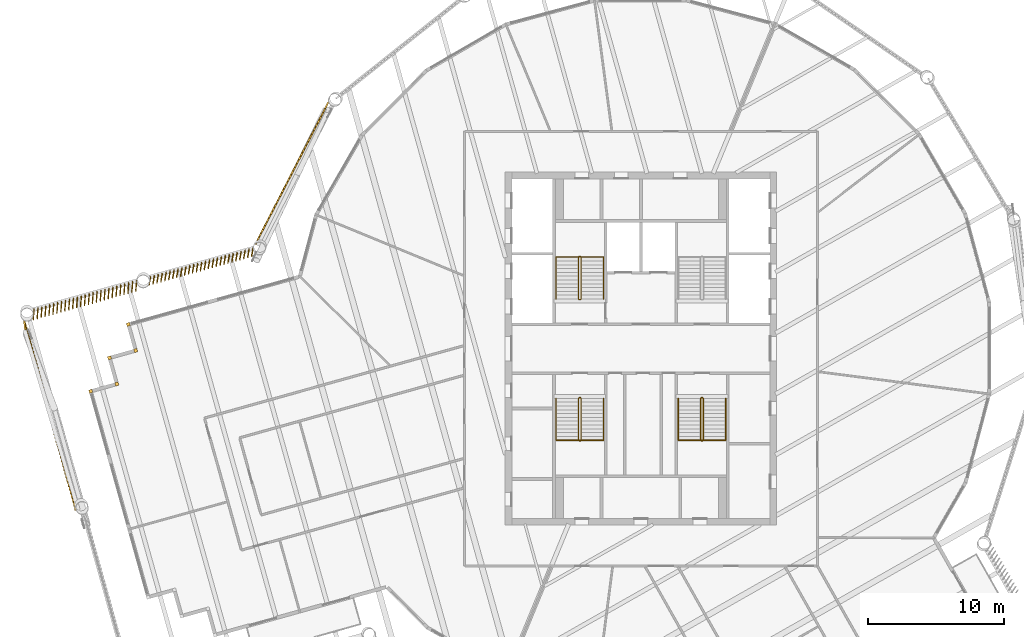
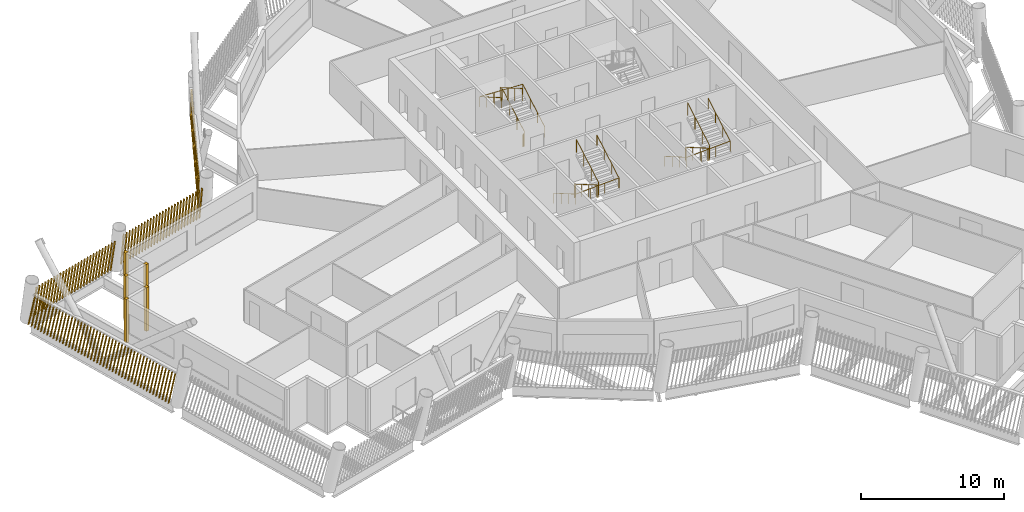
# One storey, part 18 of 21: 9 shading devices, 6 railings.
"""IFC4 building model written with IfcOpenShell, lengths in metres."""

from ifc_helpers import new_model, si_unit, direction, frame, frame_2d, origin, origin_2d, place, context, subcontext, project, spatial, rectangle, circle, composite_profile, extrude, material, type_object, element, save


model = new_model("IFC4")

# Units and contexts
model_context = context("Model", 3, precision=1e-05, world=origin(), true_north=direction((0.0, 1.0)))
body_context = subcontext(model_context, "Body", "Model", "MODEL_VIEW")
ifc_project = project(units=[si_unit("LENGTHUNIT", "METRE"), si_unit("AREAUNIT", "SQUARE_METRE"), si_unit("VOLUMEUNIT", "CUBIC_METRE"), si_unit("PLANEANGLEUNIT", "RADIAN"), si_unit("MASSUNIT", "GRAM", prefix="KILO")], contexts=[model_context])

# Site, building, storey
site_placement = place(None, origin())
site = spatial("IfcSite", under=ifc_project, at=site_placement, CompositionType="ELEMENT")
building_placement = place(site_placement, origin())
building = spatial("IfcBuilding", under=site, at=building_placement, Name="Tarsis Ring Headquarters", CompositionType="ELEMENT")
storey_placement = place(building_placement, frame((0.0, 0.0, 347.0)))
storey = spatial("IfcBuildingStorey", under=building, at=storey_placement, Name="L82", CompositionType="ELEMENT", Elevation=347.0)

# Railings
ifc_material_1 = material(Name="Steel S355", Category="steel")
railing_type_1 = type_object("IfcRailingType", Name="Core stair guard 1100", PredefinedType="GUARDRAIL", material=ifc_material_1)
railing_1_placement = place(storey_placement, frame((-4.5400390625, 3.610107421875, 0.0)))
element("IfcRailing", 1, at=railing_1_placement, inside=storey, type_object=railing_type_1, Name="L82 ST1 stair guard 1", PredefinedType="GUARDRAIL", context=body_context, shape_type="SweptSolid", body=[
    extrude(circle(Radius=0.02392578125, at=origin_2d()), frame((0.0, 0.0, 1.076171875), z_axis=(1.0, 0.0, 0.0), x_axis=(0.0, 1.0, 0.0)), (0.0, 0.0, 1.0), 0.080078125),
    extrude(circle(Radius=0.02392578125, at=origin_2d()), frame((0.080078125, 0.0, 1.076171875), z_axis=(0.282336740067, 0.280959487676, 0.917250092119), x_axis=(-0.705375805398, 0.708833529934, 0.0)), (0.0, 0.0, 1.0), 0.17724609375),
    extrude(circle(Radius=0.02392578125, at=origin_2d()), frame((0.130126953125, 0.0498046875, 1.23876953125), z_axis=(0.0, 0.864920483161, 0.501908913857), x_axis=(-1.0, 0.0, 0.0)), (0.0, 0.0, 1.0), 3.56103515625),
    extrude(circle(Radius=0.02392578125, at=origin_2d()), frame((0.130126953125, 3.1298828125, 3.02587890625), z_axis=(-0.707106781187, 0.707106781187, 0.0), x_axis=(-0.707106781187, -0.707106781187, 0.0)), (0.0, 0.0, 1.0), 0.07080078125),
    extrude(circle(Radius=0.02392578125, at=origin_2d()), frame((0.080078125, 3.179931640625, 3.02587890625), z_axis=(-1.0, 0.0, 0.0), x_axis=(0.0, -1.0, 0.0)), (0.0, 0.0, 1.0), 0.080078125),
    extrude(circle(Radius=0.02392578125, at=origin_2d()), frame((0.0, 3.179931640625, 3.02587890625), z_axis=(-0.282227285176, -0.282227285176, 0.916894497205), x_axis=(0.707106781187, -0.707106781187, 0.0)), (0.0, 0.0, 1.0), 0.17724609375),
    extrude(circle(Radius=0.02392578125, at=origin_2d()), frame((-0.050048828125, 3.1298828125, 3.1884765625), z_axis=(0.0, -0.864920483161, 0.501908913857), x_axis=(1.0, 0.0, 0.0)), (0.0, 0.0, 1.0), 3.56103515625),
    extrude(circle(Radius=0.02099609375, at=origin_2d()), origin(), (0.0, 0.0, 1.0), 1.052001953125),
    extrude(circle(Radius=0.02099609375, at=origin_2d()), frame((0.080078125, 0.0, 0.0)), (0.0, 0.0, 1.0), 1.052001953125),
    extrude(circle(Radius=0.02099609375, at=origin_2d()), frame((0.130126953125, 0.0498046875, 0.16259765625)), (0.0, 0.0, 1.0), 1.052001953125),
    extrude(circle(Radius=0.02099609375, at=origin_2d()), frame((0.130126953125, 1.076416015625, 0.75830078125)), (0.0, 0.0, 1.0), 1.052001953125),
    extrude(circle(Radius=0.02099609375, at=origin_2d()), frame((0.130126953125, 2.103271484375, 1.354248046875)), (0.0, 0.0, 1.0), 1.052001953125),
    extrude(circle(Radius=0.02099609375, at=origin_2d()), frame((0.130126953125, 3.1298828125, 1.949951171875)), (0.0, 0.0, 1.0), 1.052001953125),
    extrude(circle(Radius=0.02099609375, at=origin_2d()), frame((0.080078125, 3.179931640625, 1.949951171875)), (0.0, 0.0, 1.0), 1.052001953125),
    extrude(circle(Radius=0.02099609375, at=origin_2d()), frame((0.0, 3.179931640625, 1.949951171875)), (0.0, 0.0, 1.0), 1.052001953125),
    extrude(circle(Radius=0.02099609375, at=origin_2d()), frame((-0.050048828125, 3.1298828125, 2.112548828125)), (0.0, 0.0, 1.0), 1.052001953125),
    extrude(circle(Radius=0.02099609375, at=origin_2d()), frame((-0.050048828125, 2.103271484375, 2.708251953125)), (0.0, 0.0, 1.0), 1.052001953125),
    extrude(circle(Radius=0.02099609375, at=origin_2d()), frame((-0.050048828125, 1.076416015625, 3.30419921875)), (0.0, 0.0, 1.0), 1.052001953125),
    extrude(circle(Radius=0.02099609375, at=origin_2d()), frame((-0.050048828125, 0.0498046875, 3.89990234375)), (0.0, 0.0, 1.0), 1.052001953125),
])
railing_2_placement = place(storey_placement, frame((-4.4599609375, -3.610107421875, 0.0)))
element("IfcRailing", 2, at=railing_2_placement, inside=storey, type_object=railing_type_1, Name="L82 ST3 stair guard 1", PredefinedType="GUARDRAIL", context=body_context, shape_type="SweptSolid", body=[
    extrude(circle(Radius=0.02392578125, at=origin_2d()), frame((0.0, 0.0, 1.076171875), z_axis=(-1.0, 0.0, 0.0), x_axis=(0.0, -1.0, 0.0)), (0.0, 0.0, 1.0), 0.080078125),
    extrude(circle(Radius=0.02392578125, at=origin_2d()), frame((-0.080078125, 0.0, 1.076171875), z_axis=(-0.282336740067, -0.280959487676, 0.917250092119), x_axis=(0.705375805398, -0.708833529934, 0.0)), (0.0, 0.0, 1.0), 0.17724609375),
    extrude(circle(Radius=0.02392578125, at=origin_2d()), frame((-0.130126953125, -0.0498046875, 1.23876953125), z_axis=(0.0, -0.864920483161, 0.501908913857), x_axis=(1.0, 0.0, 0.0)), (0.0, 0.0, 1.0), 3.56103515625),
    extrude(circle(Radius=0.02392578125, at=origin_2d()), frame((-0.130126953125, -3.1298828125, 3.02587890625), z_axis=(0.707106781187, -0.707106781187, 0.0), x_axis=(0.707106781187, 0.707106781187, 0.0)), (0.0, 0.0, 1.0), 0.07080078125),
    extrude(circle(Radius=0.02392578125, at=origin_2d()), frame((-0.080078125, -3.179931640625, 3.02587890625), z_axis=(1.0, 0.0, 0.0), x_axis=(0.0, 1.0, 0.0)), (0.0, 0.0, 1.0), 0.080078125),
    extrude(circle(Radius=0.02392578125, at=origin_2d()), frame((0.0, -3.179931640625, 3.02587890625), z_axis=(0.282227285176, 0.282227285176, 0.916894497205), x_axis=(-0.707106781187, 0.707106781187, 0.0)), (0.0, 0.0, 1.0), 0.17724609375),
    extrude(circle(Radius=0.02392578125, at=origin_2d()), frame((0.050048828125, -3.1298828125, 3.1884765625), z_axis=(0.0, 0.864920483161, 0.501908913857), x_axis=(-1.0, 0.0, 0.0)), (0.0, 0.0, 1.0), 3.56103515625),
    extrude(circle(Radius=0.02099609375, at=origin_2d()), origin(), (0.0, 0.0, 1.0), 1.052001953125),
    extrude(circle(Radius=0.02099609375, at=origin_2d()), frame((-0.080078125, 0.0, 0.0)), (0.0, 0.0, 1.0), 1.052001953125),
    extrude(circle(Radius=0.02099609375, at=origin_2d()), frame((-0.130126953125, -0.0498046875, 0.16259765625)), (0.0, 0.0, 1.0), 1.052001953125),
    extrude(circle(Radius=0.02099609375, at=origin_2d()), frame((-0.130126953125, -1.076416015625, 0.75830078125)), (0.0, 0.0, 1.0), 1.052001953125),
    extrude(circle(Radius=0.02099609375, at=origin_2d()), frame((-0.130126953125, -2.103271484375, 1.354248046875)), (0.0, 0.0, 1.0), 1.052001953125),
    extrude(circle(Radius=0.02099609375, at=origin_2d()), frame((-0.130126953125, -3.1298828125, 1.949951171875)), (0.0, 0.0, 1.0), 1.052001953125),
    extrude(circle(Radius=0.02099609375, at=origin_2d()), frame((-0.080078125, -3.179931640625, 1.949951171875)), (0.0, 0.0, 1.0), 1.052001953125),
    extrude(circle(Radius=0.02099609375, at=origin_2d()), frame((0.0, -3.179931640625, 1.949951171875)), (0.0, 0.0, 1.0), 1.052001953125),
    extrude(circle(Radius=0.02099609375, at=origin_2d()), frame((0.050048828125, -3.1298828125, 2.112548828125)), (0.0, 0.0, 1.0), 1.052001953125),
    extrude(circle(Radius=0.02099609375, at=origin_2d()), frame((0.050048828125, -2.103271484375, 2.708251953125)), (0.0, 0.0, 1.0), 1.052001953125),
    extrude(circle(Radius=0.02099609375, at=origin_2d()), frame((0.050048828125, -1.076416015625, 3.30419921875)), (0.0, 0.0, 1.0), 1.052001953125),
    extrude(circle(Radius=0.02099609375, at=origin_2d()), frame((0.050048828125, -0.0498046875, 3.89990234375)), (0.0, 0.0, 1.0), 1.052001953125),
])
railing_3_placement = place(storey_placement, frame((4.5400390625, -3.610107421875, 0.0)))
element("IfcRailing", 3, at=railing_3_placement, inside=storey, type_object=railing_type_1, Name="L82 ST4 stair guard 1", PredefinedType="GUARDRAIL", context=body_context, shape_type="SweptSolid", body=[
    extrude(circle(Radius=0.02392578125, at=origin_2d()), frame((0.0, 0.0, 1.076171875), z_axis=(-1.0, 0.0, 0.0), x_axis=(0.0, -1.0, 0.0)), (0.0, 0.0, 1.0), 0.080078125),
    extrude(circle(Radius=0.02392578125, at=origin_2d()), frame((-0.080078125, 0.0, 1.076171875), z_axis=(-0.282336740067, -0.280959487676, 0.917250092119), x_axis=(0.705375805398, -0.708833529934, 0.0)), (0.0, 0.0, 1.0), 0.17724609375),
    extrude(circle(Radius=0.02392578125, at=origin_2d()), frame((-0.130126953125, -0.0498046875, 1.23876953125), z_axis=(0.0, -0.864920483161, 0.501908913857), x_axis=(1.0, 0.0, 0.0)), (0.0, 0.0, 1.0), 3.56103515625),
    extrude(circle(Radius=0.02392578125, at=origin_2d()), frame((-0.130126953125, -3.1298828125, 3.02587890625), z_axis=(0.707106781187, -0.707106781187, 0.0), x_axis=(0.707106781187, 0.707106781187, 0.0)), (0.0, 0.0, 1.0), 0.07080078125),
    extrude(circle(Radius=0.02392578125, at=origin_2d()), frame((-0.080078125, -3.179931640625, 3.02587890625), z_axis=(1.0, 0.0, 0.0), x_axis=(0.0, 1.0, 0.0)), (0.0, 0.0, 1.0), 0.080078125),
    extrude(circle(Radius=0.02392578125, at=origin_2d()), frame((0.0, -3.179931640625, 3.02587890625), z_axis=(0.282227285176, 0.282227285176, 0.916894497205), x_axis=(-0.707106781187, 0.707106781187, 0.0)), (0.0, 0.0, 1.0), 0.17724609375),
    extrude(circle(Radius=0.02392578125, at=origin_2d()), frame((0.050048828125, -3.1298828125, 3.1884765625), z_axis=(0.0, 0.864920483161, 0.501908913857), x_axis=(-1.0, 0.0, 0.0)), (0.0, 0.0, 1.0), 3.56103515625),
    extrude(circle(Radius=0.02099609375, at=origin_2d()), origin(), (0.0, 0.0, 1.0), 1.052001953125),
    extrude(circle(Radius=0.02099609375, at=origin_2d()), frame((-0.080078125, 0.0, 0.0)), (0.0, 0.0, 1.0), 1.052001953125),
    extrude(circle(Radius=0.02099609375, at=origin_2d()), frame((-0.130126953125, -0.0498046875, 0.16259765625)), (0.0, 0.0, 1.0), 1.052001953125),
    extrude(circle(Radius=0.02099609375, at=origin_2d()), frame((-0.130126953125, -1.076416015625, 0.75830078125)), (0.0, 0.0, 1.0), 1.052001953125),
    extrude(circle(Radius=0.02099609375, at=origin_2d()), frame((-0.130126953125, -2.103271484375, 1.354248046875)), (0.0, 0.0, 1.0), 1.052001953125),
    extrude(circle(Radius=0.02099609375, at=origin_2d()), frame((-0.130126953125, -3.1298828125, 1.949951171875)), (0.0, 0.0, 1.0), 1.052001953125),
    extrude(circle(Radius=0.02099609375, at=origin_2d()), frame((-0.080078125, -3.179931640625, 1.949951171875)), (0.0, 0.0, 1.0), 1.052001953125),
    extrude(circle(Radius=0.02099609375, at=origin_2d()), frame((0.0, -3.179931640625, 1.949951171875)), (0.0, 0.0, 1.0), 1.052001953125),
    extrude(circle(Radius=0.02099609375, at=origin_2d()), frame((0.050048828125, -3.1298828125, 2.112548828125)), (0.0, 0.0, 1.0), 1.052001953125),
    extrude(circle(Radius=0.02099609375, at=origin_2d()), frame((0.050048828125, -2.103271484375, 2.708251953125)), (0.0, 0.0, 1.0), 1.052001953125),
    extrude(circle(Radius=0.02099609375, at=origin_2d()), frame((0.050048828125, -1.076416015625, 3.30419921875)), (0.0, 0.0, 1.0), 1.052001953125),
    extrude(circle(Radius=0.02099609375, at=origin_2d()), frame((0.050048828125, -0.0498046875, 3.89990234375)), (0.0, 0.0, 1.0), 1.052001953125),
])
railing_type_2 = type_object("IfcRailingType", Name="Core stair handrail 900", PredefinedType="HANDRAIL", material=ifc_material_1)
railing_4_placement = place(storey_placement, frame((-2.75, 3.659912109375, 0.16259765625)))
element("IfcRailing", 4, at=railing_4_placement, inside=storey, type_object=railing_type_2, Name="L82 ST1 stair handrail 1", PredefinedType="HANDRAIL", context=body_context, shape_type="SweptSolid", body=[
    extrude(circle(Radius=0.02392578125, at=origin_2d()), frame((0.0, 0.0, 0.8759765625), z_axis=(0.0, 0.864920483161, 0.501908913857), x_axis=(-1.0, 0.0, 0.0)), (0.0, 0.0, 1.0), 3.56103515625),
    extrude(circle(Radius=0.02392578125, at=origin_2d()), frame((0.0, 3.080078125, 2.6630859375), z_axis=(-0.998922641604, 0.0, 0.046406422943), x_axis=(0.0, -1.0, 0.0)), (0.0, 0.0, 1.0), 3.503662109375),
    extrude(circle(Radius=0.02392578125, at=origin_2d()), frame((-3.5, 3.080078125, 2.82568359375), z_axis=(0.0, -0.864920483161, 0.501908913857), x_axis=(1.0, 0.0, 0.0)), (0.0, 0.0, 1.0), 3.56103515625),
    extrude(circle(Radius=0.02099609375, at=origin_2d()), origin(), (0.0, 0.0, 1.0), 0.851806640625),
    extrude(circle(Radius=0.02099609375, at=origin_2d()), frame((0.0, 1.026611328125, 0.595703125)), (0.0, 0.0, 1.0), 0.851806640625),
    extrude(circle(Radius=0.02099609375, at=origin_2d()), frame((0.0, 2.053466796875, 1.191650390625)), (0.0, 0.0, 1.0), 0.851806640625),
    extrude(circle(Radius=0.02099609375, at=origin_2d()), frame((0.0, 3.080078125, 1.787353515625)), (0.0, 0.0, 1.0), 0.851806640625),
    extrude(circle(Radius=0.02099609375, at=origin_2d()), frame((-1.166748046875, 3.080078125, 1.841552734375)), (0.0, 0.0, 1.0), 0.851806640625),
    extrude(circle(Radius=0.02099609375, at=origin_2d()), frame((-2.333251953125, 3.080078125, 1.895751953125)), (0.0, 0.0, 1.0), 0.851806640625),
    extrude(circle(Radius=0.02099609375, at=origin_2d()), frame((-3.5, 3.080078125, 1.949951171875)), (0.0, 0.0, 1.0), 0.851806640625),
    extrude(circle(Radius=0.02099609375, at=origin_2d()), frame((-3.5, 2.053466796875, 2.545654296875)), (0.0, 0.0, 1.0), 0.851806640625),
    extrude(circle(Radius=0.02099609375, at=origin_2d()), frame((-3.5, 1.026611328125, 3.1416015625)), (0.0, 0.0, 1.0), 0.851806640625),
    extrude(circle(Radius=0.02099609375, at=origin_2d()), frame((-3.5, 0.0, 3.7373046875)), (0.0, 0.0, 1.0), 0.851806640625),
])
railing_5_placement = place(storey_placement, frame((-6.25, -3.659912109375, 0.16259765625)))
element("IfcRailing", 5, at=railing_5_placement, inside=storey, type_object=railing_type_2, Name="L82 ST3 stair handrail 1", PredefinedType="HANDRAIL", context=body_context, shape_type="SweptSolid", body=[
    extrude(circle(Radius=0.02392578125, at=origin_2d()), frame((0.0, 0.0, 0.8759765625), z_axis=(0.0, -0.864920483161, 0.501908913857), x_axis=(1.0, 0.0, 0.0)), (0.0, 0.0, 1.0), 3.56103515625),
    extrude(circle(Radius=0.02392578125, at=origin_2d()), frame((0.0, -3.080078125, 2.6630859375), z_axis=(0.998922641604, 0.0, 0.046406422943), x_axis=(0.0, 1.0, 0.0)), (0.0, 0.0, 1.0), 3.503662109375),
    extrude(circle(Radius=0.02392578125, at=origin_2d()), frame((3.5, -3.080078125, 2.82568359375), z_axis=(0.0, 0.864920483161, 0.501908913857), x_axis=(-1.0, 0.0, 0.0)), (0.0, 0.0, 1.0), 3.56103515625),
    extrude(circle(Radius=0.02099609375, at=origin_2d()), origin(), (0.0, 0.0, 1.0), 0.851806640625),
    extrude(circle(Radius=0.02099609375, at=origin_2d()), frame((0.0, -1.026611328125, 0.595703125)), (0.0, 0.0, 1.0), 0.851806640625),
    extrude(circle(Radius=0.02099609375, at=origin_2d()), frame((0.0, -2.053466796875, 1.191650390625)), (0.0, 0.0, 1.0), 0.851806640625),
    extrude(circle(Radius=0.02099609375, at=origin_2d()), frame((0.0, -3.080078125, 1.787353515625)), (0.0, 0.0, 1.0), 0.851806640625),
    extrude(circle(Radius=0.02099609375, at=origin_2d()), frame((1.166748046875, -3.080078125, 1.841552734375)), (0.0, 0.0, 1.0), 0.851806640625),
    extrude(circle(Radius=0.02099609375, at=origin_2d()), frame((2.333251953125, -3.080078125, 1.895751953125)), (0.0, 0.0, 1.0), 0.851806640625),
    extrude(circle(Radius=0.02099609375, at=origin_2d()), frame((3.5, -3.080078125, 1.949951171875)), (0.0, 0.0, 1.0), 0.851806640625),
    extrude(circle(Radius=0.02099609375, at=origin_2d()), frame((3.5, -2.053466796875, 2.545654296875)), (0.0, 0.0, 1.0), 0.851806640625),
    extrude(circle(Radius=0.02099609375, at=origin_2d()), frame((3.5, -1.026611328125, 3.1416015625)), (0.0, 0.0, 1.0), 0.851806640625),
    extrude(circle(Radius=0.02099609375, at=origin_2d()), frame((3.5, 0.0, 3.7373046875)), (0.0, 0.0, 1.0), 0.851806640625),
])
railing_6_placement = place(storey_placement, frame((2.75, -3.659912109375, 0.16259765625)))
element("IfcRailing", 6, at=railing_6_placement, inside=storey, type_object=railing_type_2, Name="L82 ST4 stair handrail 1", PredefinedType="HANDRAIL", context=body_context, shape_type="SweptSolid", body=[
    extrude(circle(Radius=0.02392578125, at=origin_2d()), frame((0.0, 0.0, 0.8759765625), z_axis=(0.0, -0.864920483161, 0.501908913857), x_axis=(1.0, 0.0, 0.0)), (0.0, 0.0, 1.0), 3.56103515625),
    extrude(circle(Radius=0.02392578125, at=origin_2d()), frame((0.0, -3.080078125, 2.6630859375), z_axis=(0.998922641604, 0.0, 0.046406422943), x_axis=(0.0, 1.0, 0.0)), (0.0, 0.0, 1.0), 3.503662109375),
    extrude(circle(Radius=0.02392578125, at=origin_2d()), frame((3.5, -3.080078125, 2.82568359375), z_axis=(0.0, 0.864920483161, 0.501908913857), x_axis=(-1.0, 0.0, 0.0)), (0.0, 0.0, 1.0), 3.56103515625),
    extrude(circle(Radius=0.02099609375, at=origin_2d()), origin(), (0.0, 0.0, 1.0), 0.851806640625),
    extrude(circle(Radius=0.02099609375, at=origin_2d()), frame((0.0, -1.026611328125, 0.595703125)), (0.0, 0.0, 1.0), 0.851806640625),
    extrude(circle(Radius=0.02099609375, at=origin_2d()), frame((0.0, -2.053466796875, 1.191650390625)), (0.0, 0.0, 1.0), 0.851806640625),
    extrude(circle(Radius=0.02099609375, at=origin_2d()), frame((0.0, -3.080078125, 1.787353515625)), (0.0, 0.0, 1.0), 0.851806640625),
    extrude(circle(Radius=0.02099609375, at=origin_2d()), frame((1.166748046875, -3.080078125, 1.841552734375)), (0.0, 0.0, 1.0), 0.851806640625),
    extrude(circle(Radius=0.02099609375, at=origin_2d()), frame((2.333251953125, -3.080078125, 1.895751953125)), (0.0, 0.0, 1.0), 0.851806640625),
    extrude(circle(Radius=0.02099609375, at=origin_2d()), frame((3.5, -3.080078125, 1.949951171875)), (0.0, 0.0, 1.0), 0.851806640625),
    extrude(circle(Radius=0.02099609375, at=origin_2d()), frame((3.5, -2.053466796875, 2.545654296875)), (0.0, 0.0, 1.0), 0.851806640625),
    extrude(circle(Radius=0.02099609375, at=origin_2d()), frame((3.5, -1.026611328125, 3.1416015625)), (0.0, 0.0, 1.0), 0.851806640625),
    extrude(circle(Radius=0.02099609375, at=origin_2d()), frame((3.5, 0.0, 3.7373046875)), (0.0, 0.0, 1.0), 0.851806640625),
])

# Shading devices
ifc_material_2 = material(Name="Terracotta baguette", Category="masonry")
shading_device_type_1 = type_object("IfcShadingDeviceType", Name="Terracotta baguette screen", PredefinedType="USERDEFINED", material=ifc_material_2)
shading_device_1_placement = place(storey_placement, frame((-23.017578125, 18.15380859375, 0.0), z_axis=(0.0, 0.0, 1.0), x_axis=(-0.457124253934, -0.889397721107, 0.0)))
element("IfcShadingDevice", 7, at=shading_device_1_placement, inside=storey, type_object=shading_device_type_1, Name="Baguette screen L82-14", ObjectType="Terracotta baguette screen", PredefinedType="USERDEFINED", context=body_context, shape_type="SweptSolid", body=[
    extrude(composite_profile([rectangle(XDim=0.06005859375, YDim=0.1201171875, at=frame_2d((0.030029296875, 0.0))), rectangle(XDim=0.06005859375, YDim=0.1201171875, at=frame_2d((0.33251953125, 0.0))), rectangle(XDim=0.06005859375, YDim=0.1201171875, at=frame_2d((0.634765625, 0.0))), rectangle(XDim=0.06005859375, YDim=0.1201171875, at=frame_2d((0.937255859375, 0.0))), rectangle(XDim=0.06005859375, YDim=0.1201171875, at=frame_2d((1.239501953125, 0.0))), rectangle(XDim=0.06005859375, YDim=0.1201171875, at=frame_2d((1.5419921875, 0.0))), rectangle(XDim=0.06005859375, YDim=0.1201171875, at=frame_2d((1.844482421875, 0.0))), rectangle(XDim=0.06005859375, YDim=0.1201171875, at=frame_2d((2.146728515625, 0.0))), rectangle(XDim=0.06005859375, YDim=0.1201171875, at=frame_2d((2.44921875, 0.0))), rectangle(XDim=0.06005859375, YDim=0.1201171875, at=frame_2d((2.751708984375, 0.0))), rectangle(XDim=0.06005859375, YDim=0.1201171875, at=frame_2d((3.053955078125, 0.0))), rectangle(XDim=0.06005859375, YDim=0.1201171875, at=frame_2d((3.3564453125, 0.0))), rectangle(XDim=0.06005859375, YDim=0.1201171875, at=frame_2d((3.65869140625, 0.0))), rectangle(XDim=0.06005859375, YDim=0.1201171875, at=frame_2d((3.961181640625, 0.0))), rectangle(XDim=0.06005859375, YDim=0.1201171875, at=frame_2d((4.263671875, 0.0))), rectangle(XDim=0.06005859375, YDim=0.1201171875, at=frame_2d((4.56591796875, 0.0))), rectangle(XDim=0.06005859375, YDim=0.1201171875, at=frame_2d((4.868408203125, 0.0))), rectangle(XDim=0.06005859375, YDim=0.1201171875, at=frame_2d((5.1708984375, 0.0))), rectangle(XDim=0.06005859375, YDim=0.1201171875, at=frame_2d((5.47314453125, 0.0))), rectangle(XDim=0.06005859375, YDim=0.1201171875, at=frame_2d((5.775634765625, 0.0))), rectangle(XDim=0.06005859375, YDim=0.1201171875, at=frame_2d((6.077880859375, 0.0))), rectangle(XDim=0.06005859375, YDim=0.1201171875, at=frame_2d((6.38037109375, 0.0))), rectangle(XDim=0.06005859375, YDim=0.1201171875, at=frame_2d((6.682861328125, 0.0))), rectangle(XDim=0.06005859375, YDim=0.1201171875, at=frame_2d((6.985107421875, 0.0))), rectangle(XDim=0.06005859375, YDim=0.1201171875, at=frame_2d((7.28759765625, 0.0))), rectangle(XDim=0.06005859375, YDim=0.1201171875, at=frame_2d((7.590087890625, 0.0))), rectangle(XDim=0.06005859375, YDim=0.1201171875, at=frame_2d((7.892333984375, 0.0))), rectangle(XDim=0.06005859375, YDim=0.1201171875, at=frame_2d((8.19482421875, 0.0))), rectangle(XDim=0.06005859375, YDim=0.1201171875, at=frame_2d((8.4970703125, 0.0))), rectangle(XDim=0.06005859375, YDim=0.1201171875, at=frame_2d((8.799560546875, 0.0))), rectangle(XDim=0.06005859375, YDim=0.1201171875, at=frame_2d((9.10205078125, 0.0))), rectangle(XDim=0.06005859375, YDim=0.1201171875, at=frame_2d((9.404296875, 0.0))), rectangle(XDim=0.06005859375, YDim=0.1201171875, at=frame_2d((9.706787109375, 0.0))), rectangle(XDim=0.06005859375, YDim=0.1201171875, at=frame_2d((10.00927734375, 0.0))), rectangle(XDim=0.06005859375, YDim=0.1201171875, at=frame_2d((10.3115234375, 0.0))), rectangle(XDim=0.06005859375, YDim=0.1201171875, at=frame_2d((10.614013671875, 0.0))), rectangle(XDim=0.06005859375, YDim=0.1201171875, at=frame_2d((10.916259765625, 0.0))), rectangle(XDim=0.06005859375, YDim=0.1201171875, at=frame_2d((11.21875, 0.0)))]), origin(), (0.173292977151, 0.001574732005, 0.984869059464), 3.013427734375),
])
shading_device_2_placement = place(storey_placement, frame((-28.536376953125, 7.3984375, 0.0), z_axis=(0.0, 0.0, 1.0), x_axis=(-0.963172366917, -0.268915871103, 0.0)))
element("IfcShadingDevice", 8, at=shading_device_2_placement, inside=storey, type_object=shading_device_type_1, Name="Baguette screen L82-15", ObjectType="Terracotta baguette screen", PredefinedType="USERDEFINED", context=body_context, shape_type="SweptSolid", body=[
    extrude(composite_profile([rectangle(XDim=0.06005859375, YDim=0.1201171875, at=frame_2d((0.030029296875, 0.0))), rectangle(XDim=0.06005859375, YDim=0.1201171875, at=frame_2d((0.33154296875, 0.0))), rectangle(XDim=0.06005859375, YDim=0.1201171875, at=frame_2d((0.63330078125, 0.0))), rectangle(XDim=0.06005859375, YDim=0.1201171875, at=frame_2d((0.934814453125, 0.0))), rectangle(XDim=0.06005859375, YDim=0.1201171875, at=frame_2d((1.236572265625, 0.0))), rectangle(XDim=0.06005859375, YDim=0.1201171875, at=frame_2d((1.5380859375, 0.0))), rectangle(XDim=0.06005859375, YDim=0.1201171875, at=frame_2d((1.83984375, 0.0))), rectangle(XDim=0.06005859375, YDim=0.1201171875, at=frame_2d((2.141357421875, 0.0))), rectangle(XDim=0.06005859375, YDim=0.1201171875, at=frame_2d((2.443115234375, 0.0))), rectangle(XDim=0.06005859375, YDim=0.1201171875, at=frame_2d((2.74462890625, 0.0))), rectangle(XDim=0.06005859375, YDim=0.1201171875, at=frame_2d((3.04638671875, 0.0))), rectangle(XDim=0.06005859375, YDim=0.1201171875, at=frame_2d((3.347900390625, 0.0))), rectangle(XDim=0.06005859375, YDim=0.1201171875, at=frame_2d((3.649658203125, 0.0))), rectangle(XDim=0.06005859375, YDim=0.1201171875, at=frame_2d((3.951171875, 0.0))), rectangle(XDim=0.06005859375, YDim=0.1201171875, at=frame_2d((4.252685546875, 0.0))), rectangle(XDim=0.06005859375, YDim=0.1201171875, at=frame_2d((4.554443359375, 0.0))), rectangle(XDim=0.06005859375, YDim=0.1201171875, at=frame_2d((4.85595703125, 0.0))), rectangle(XDim=0.06005859375, YDim=0.1201171875, at=frame_2d((5.15771484375, 0.0))), rectangle(XDim=0.06005859375, YDim=0.1201171875, at=frame_2d((5.459228515625, 0.0))), rectangle(XDim=0.06005859375, YDim=0.1201171875, at=frame_2d((5.760986328125, 0.0))), rectangle(XDim=0.06005859375, YDim=0.1201171875, at=frame_2d((6.0625, 0.0))), rectangle(XDim=0.06005859375, YDim=0.1201171875, at=frame_2d((6.3642578125, 0.0))), rectangle(XDim=0.06005859375, YDim=0.1201171875, at=frame_2d((6.665771484375, 0.0))), rectangle(XDim=0.06005859375, YDim=0.1201171875, at=frame_2d((6.967529296875, 0.0))), rectangle(XDim=0.06005859375, YDim=0.1201171875, at=frame_2d((7.26904296875, 0.0))), rectangle(XDim=0.06005859375, YDim=0.1201171875, at=frame_2d((7.57080078125, 0.0))), rectangle(XDim=0.06005859375, YDim=0.1201171875, at=frame_2d((7.872314453125, 0.0)))]), origin(), (0.087126990554, 0.177347889309, 0.980283945433), 3.02734375),
])
shading_device_3_placement = place(storey_placement, frame((-37.110595703125, 5.004638671875, 0.0), z_axis=(0.0, 0.0, 1.0), x_axis=(-0.963142609985, -0.268938457736, 0.0)))
element("IfcShadingDevice", 9, at=shading_device_3_placement, inside=storey, type_object=shading_device_type_1, Name="Baguette screen L82-16", ObjectType="Terracotta baguette screen", PredefinedType="USERDEFINED", context=body_context, shape_type="SweptSolid", body=[
    extrude(composite_profile([rectangle(XDim=0.06005859375, YDim=0.1201171875, at=frame_2d((0.030029296875, 0.0))), rectangle(XDim=0.06005859375, YDim=0.1201171875, at=frame_2d((0.33154296875, 0.0))), rectangle(XDim=0.06005859375, YDim=0.1201171875, at=frame_2d((0.63330078125, 0.0))), rectangle(XDim=0.06005859375, YDim=0.1201171875, at=frame_2d((0.934814453125, 0.0))), rectangle(XDim=0.06005859375, YDim=0.1201171875, at=frame_2d((1.236572265625, 0.0))), rectangle(XDim=0.06005859375, YDim=0.1201171875, at=frame_2d((1.5380859375, 0.0))), rectangle(XDim=0.06005859375, YDim=0.1201171875, at=frame_2d((1.83984375, 0.0))), rectangle(XDim=0.06005859375, YDim=0.1201171875, at=frame_2d((2.141357421875, 0.0))), rectangle(XDim=0.06005859375, YDim=0.1201171875, at=frame_2d((2.443115234375, 0.0))), rectangle(XDim=0.06005859375, YDim=0.1201171875, at=frame_2d((2.74462890625, 0.0))), rectangle(XDim=0.06005859375, YDim=0.1201171875, at=frame_2d((3.04638671875, 0.0))), rectangle(XDim=0.06005859375, YDim=0.1201171875, at=frame_2d((3.347900390625, 0.0))), rectangle(XDim=0.06005859375, YDim=0.1201171875, at=frame_2d((3.649658203125, 0.0))), rectangle(XDim=0.06005859375, YDim=0.1201171875, at=frame_2d((3.951171875, 0.0))), rectangle(XDim=0.06005859375, YDim=0.1201171875, at=frame_2d((4.252685546875, 0.0))), rectangle(XDim=0.06005859375, YDim=0.1201171875, at=frame_2d((4.554443359375, 0.0))), rectangle(XDim=0.06005859375, YDim=0.1201171875, at=frame_2d((4.85595703125, 0.0))), rectangle(XDim=0.06005859375, YDim=0.1201171875, at=frame_2d((5.15771484375, 0.0))), rectangle(XDim=0.06005859375, YDim=0.1201171875, at=frame_2d((5.459228515625, 0.0))), rectangle(XDim=0.06005859375, YDim=0.1201171875, at=frame_2d((5.760986328125, 0.0))), rectangle(XDim=0.06005859375, YDim=0.1201171875, at=frame_2d((6.0625, 0.0))), rectangle(XDim=0.06005859375, YDim=0.1201171875, at=frame_2d((6.3642578125, 0.0))), rectangle(XDim=0.06005859375, YDim=0.1201171875, at=frame_2d((6.665771484375, 0.0))), rectangle(XDim=0.06005859375, YDim=0.1201171875, at=frame_2d((6.967529296875, 0.0))), rectangle(XDim=0.06005859375, YDim=0.1201171875, at=frame_2d((7.26904296875, 0.0))), rectangle(XDim=0.06005859375, YDim=0.1201171875, at=frame_2d((7.57080078125, 0.0))), rectangle(XDim=0.06005859375, YDim=0.1201171875, at=frame_2d((7.872314453125, 0.0)))]), origin(), (0.085722829607, 0.228249341903, 0.969821547711), 3.06005859375),
])
shading_device_4_placement = place(storey_placement, frame((-45.43017578125, 2.16259765625, 0.0), z_axis=(0.0, 0.0, 1.0), x_axis=(0.268925254312, -0.96316674038, 0.0)))
element("IfcShadingDevice", 10, at=shading_device_4_placement, inside=storey, type_object=shading_device_type_1, Name="Baguette screen L82-17", ObjectType="Terracotta baguette screen", PredefinedType="USERDEFINED", context=body_context, shape_type="SweptSolid", body=[
    extrude(composite_profile([rectangle(XDim=0.06005859375, YDim=0.1201171875, at=frame_2d((0.030029296875, 0.0))), rectangle(XDim=0.06005859375, YDim=0.1201171875, at=frame_2d((0.33544921875, 0.0))), rectangle(XDim=0.06005859375, YDim=0.1201171875, at=frame_2d((0.640625, 0.0))), rectangle(XDim=0.06005859375, YDim=0.1201171875, at=frame_2d((0.946044921875, 0.0))), rectangle(XDim=0.06005859375, YDim=0.1201171875, at=frame_2d((1.25146484375, 0.0))), rectangle(XDim=0.06005859375, YDim=0.1201171875, at=frame_2d((1.556640625, 0.0))), rectangle(XDim=0.06005859375, YDim=0.1201171875, at=frame_2d((1.862060546875, 0.0))), rectangle(XDim=0.06005859375, YDim=0.1201171875, at=frame_2d((2.16748046875, 0.0))), rectangle(XDim=0.06005859375, YDim=0.1201171875, at=frame_2d((2.47265625, 0.0))), rectangle(XDim=0.06005859375, YDim=0.1201171875, at=frame_2d((2.778076171875, 0.0))), rectangle(XDim=0.06005859375, YDim=0.1201171875, at=frame_2d((3.08349609375, 0.0))), rectangle(XDim=0.06005859375, YDim=0.1201171875, at=frame_2d((3.388671875, 0.0))), rectangle(XDim=0.06005859375, YDim=0.1201171875, at=frame_2d((3.694091796875, 0.0))), rectangle(XDim=0.06005859375, YDim=0.1201171875, at=frame_2d((3.99951171875, 0.0))), rectangle(XDim=0.06005859375, YDim=0.1201171875, at=frame_2d((4.3046875, 0.0))), rectangle(XDim=0.06005859375, YDim=0.1201171875, at=frame_2d((4.610107421875, 0.0))), rectangle(XDim=0.06005859375, YDim=0.1201171875, at=frame_2d((4.91552734375, 0.0))), rectangle(XDim=0.06005859375, YDim=0.1201171875, at=frame_2d((5.220703125, 0.0))), rectangle(XDim=0.06005859375, YDim=0.1201171875, at=frame_2d((5.526123046875, 0.0))), rectangle(XDim=0.06005859375, YDim=0.1201171875, at=frame_2d((5.83154296875, 0.0))), rectangle(XDim=0.06005859375, YDim=0.1201171875, at=frame_2d((6.13671875, 0.0))), rectangle(XDim=0.06005859375, YDim=0.1201171875, at=frame_2d((6.442138671875, 0.0))), rectangle(XDim=0.06005859375, YDim=0.1201171875, at=frame_2d((6.74755859375, 0.0))), rectangle(XDim=0.06005859375, YDim=0.1201171875, at=frame_2d((7.052734375, 0.0))), rectangle(XDim=0.06005859375, YDim=0.1201171875, at=frame_2d((7.358154296875, 0.0))), rectangle(XDim=0.06005859375, YDim=0.1201171875, at=frame_2d((7.66357421875, 0.0))), rectangle(XDim=0.06005859375, YDim=0.1201171875, at=frame_2d((7.96875, 0.0))), rectangle(XDim=0.06005859375, YDim=0.1201171875, at=frame_2d((8.274169921875, 0.0))), rectangle(XDim=0.06005859375, YDim=0.1201171875, at=frame_2d((8.57958984375, 0.0))), rectangle(XDim=0.06005859375, YDim=0.1201171875, at=frame_2d((8.884765625, 0.0))), rectangle(XDim=0.06005859375, YDim=0.1201171875, at=frame_2d((9.190185546875, 0.0))), rectangle(XDim=0.06005859375, YDim=0.1201171875, at=frame_2d((9.49560546875, 0.0))), rectangle(XDim=0.06005859375, YDim=0.1201171875, at=frame_2d((9.80078125, 0.0))), rectangle(XDim=0.06005859375, YDim=0.1201171875, at=frame_2d((10.106201171875, 0.0))), rectangle(XDim=0.06005859375, YDim=0.1201171875, at=frame_2d((10.41162109375, 0.0))), rectangle(XDim=0.06005859375, YDim=0.1201171875, at=frame_2d((10.716796875, 0.0))), rectangle(XDim=0.06005859375, YDim=0.1201171875, at=frame_2d((11.022216796875, 0.0))), rectangle(XDim=0.06005859375, YDim=0.1201171875, at=frame_2d((11.32763671875, 0.0))), rectangle(XDim=0.06005859375, YDim=0.1201171875, at=frame_2d((11.6328125, 0.0))), rectangle(XDim=0.06005859375, YDim=0.1201171875, at=frame_2d((11.938232421875, 0.0))), rectangle(XDim=0.06005859375, YDim=0.1201171875, at=frame_2d((12.24365234375, 0.0))), rectangle(XDim=0.06005859375, YDim=0.1201171875, at=frame_2d((12.548828125, 0.0))), rectangle(XDim=0.06005859375, YDim=0.1201171875, at=frame_2d((12.854248046875, 0.0))), rectangle(XDim=0.06005859375, YDim=0.1201171875, at=frame_2d((13.15966796875, 0.0))), rectangle(XDim=0.06005859375, YDim=0.1201171875, at=frame_2d((13.46484375, 0.0))), rectangle(XDim=0.06005859375, YDim=0.1201171875, at=frame_2d((13.770263671875, 0.0)))]), origin(), (0.25545448502, -0.041402063659, 0.965934198177), 3.072509765625),
])
shading_device_type_2 = type_object("IfcShadingDeviceType", Name="Terracotta corner baguette 250x250", PredefinedType="USERDEFINED", material=ifc_material_2)
for number, where, z_axis, x_axis, name in (
    (11, (-37.746826171875, 1.7900390625, 0.0), (0.0, 0.0, 1.0), (-0.963162552717, -0.268919871046, 0.0), "Corner baguette L82-32"),
    (12, (-37.208984375, -0.13623046875, 0.0), (0.0, 0.0, 1.0), (0.268919534839, -0.963162646588, 0.0), "Corner baguette L82-33"),
    (13, (-39.13525390625, -0.674072265625, 0.0), (0.0, 0.0, 1.0), (-0.963162515169, -0.268920005529, 0.0), "Corner baguette L82-34"),
    (14, (-38.597412109375, -2.600341796875, 0.0), (0.0, 0.0, 1.0), (0.268920005529, -0.963162515169, 0.0), "Corner baguette L82-35"),
    (15, (-40.52392578125, -3.13818359375, 0.0), (0.0, 0.0, 1.0), (-0.963162646588, -0.268919534839, 0.0), "Corner baguette L82-36"),
):
    element("IfcShadingDevice", number, at=place(storey_placement, frame(where, z_axis=z_axis, x_axis=x_axis)), inside=storey, type_object=shading_device_type_2, Name=name, ObjectType="Terracotta corner baguette", PredefinedType="USERDEFINED", context=body_context, shape_type="SweptSolid", body=[
        extrude(rectangle(XDim=0.25, YDim=0.25, at=origin_2d()), origin(), (0.0, 0.0, 1.0), 3.739990234375),
    ])

save(model, "model.ifc")
